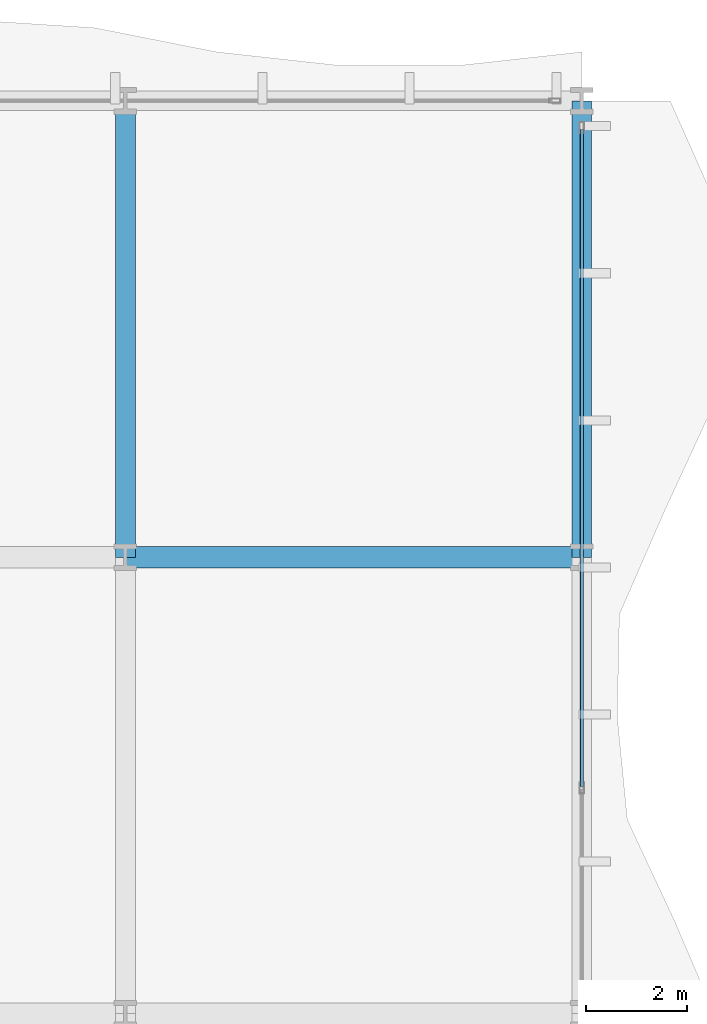
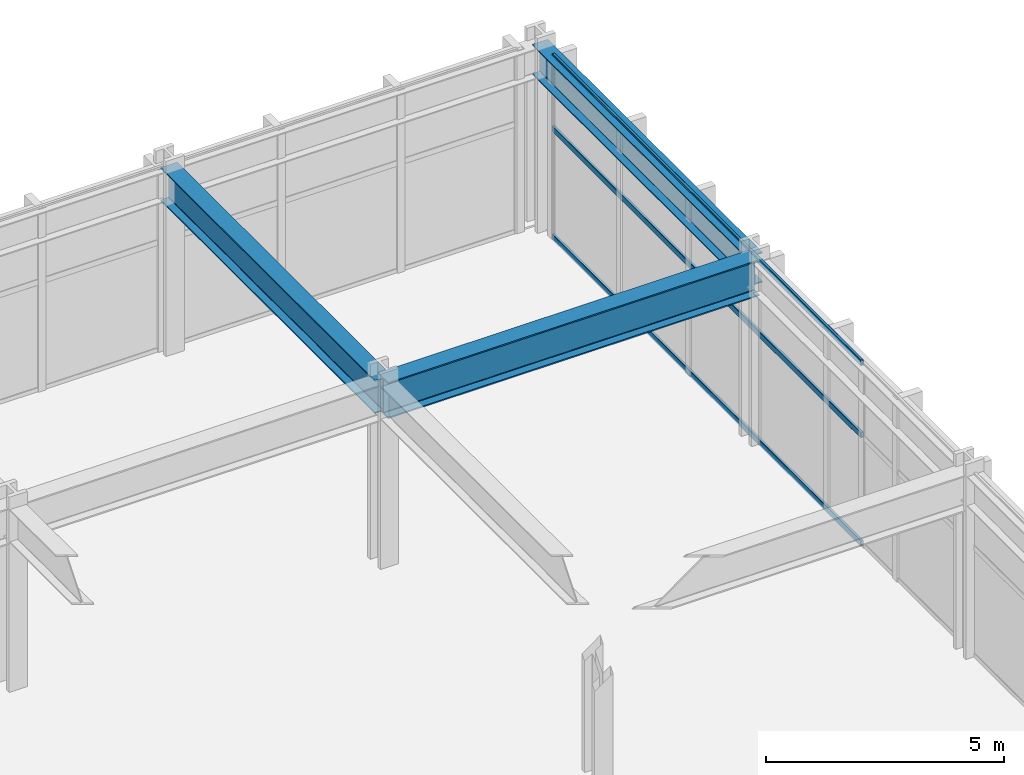
# One storey, part 16 of 28: 3 beams, 3 members, 1 element without a shape of its own.
"""IFC4 building model written with IfcOpenShell, lengths in metres."""

from ifc_helpers import new_model, si_unit, direction, frame, origin, origin_2d, place, context, subcontext, project, spatial, hollow_rectangle, i_section, extrude, material, layer, layer_set, material_profile, profile_set, type_object, element, aggregate, save


model = new_model("IFC4")

# Units and contexts
model_context = context("Model", 3, precision=1e-05, world=origin(), true_north=direction((0.0, 1.0)))
body_context = subcontext(model_context, "Body", "Model", "MODEL_VIEW")
ifc_project = project(units=[si_unit("LENGTHUNIT", "METRE"), si_unit("AREAUNIT", "SQUARE_METRE"), si_unit("VOLUMEUNIT", "CUBIC_METRE"), si_unit("PLANEANGLEUNIT", "RADIAN"), si_unit("MASSUNIT", "GRAM", prefix="KILO")], contexts=[model_context])

# Site, building, storey
site_placement = place(None, origin())
site = spatial("IfcSite", under=ifc_project, at=site_placement, CompositionType="ELEMENT")
building_placement = place(site_placement, origin())
building = spatial("IfcBuilding", under=site, at=building_placement, Name="Solvaryn Broadcast Tower", CompositionType="ELEMENT")
storey_placement = place(building_placement, frame((0.0, 0.0, 16.199951171875)))
storey = spatial("IfcBuildingStorey", under=building, at=storey_placement, Name="L03", CompositionType="ELEMENT", Elevation=16.199951171875)

# Beams
ifc_material_1 = material(Name="Steel ASTM A992 Grade 50", Category="steel")
ifc_material_profile_1 = material_profile(ifc_material_1, i_section(OverallWidth=0.41796875, OverallDepth=0.927001953125, WebThickness=0.019287109375, FlangeThickness=0.031982421875, FilletRadius=0.02392578125, at=origin_2d()))
ifc_profile_set_1 = profile_set([ifc_material_profile_1], Name="Steel ASTM A992 Grade 50")
beam_type_1 = type_object("IfcBeamType", Name="BM-G2-W36X231", PredefinedType="BEAM", material=ifc_profile_set_1)
beam_1_placement = place(storey_placement, frame((54.0, 45.0, 4.216552734375), z_axis=(1.0, 0.0, 0.0), x_axis=(0.0, 1.0, 0.0)))
element("IfcBeam", 1, at=beam_1_placement, inside=storey, type_object=beam_type_1, Name="L03 Primary Beam X (54-63 @ Y=45)", PredefinedType="BEAM", context=body_context, shape_type="SweptSolid", body=[
    extrude(i_section(OverallWidth=0.41796875, OverallDepth=0.927001953125, WebThickness=0.019287109375, FlangeThickness=0.031982421875, FilletRadius=0.02392578125, at=origin_2d()), origin(), (0.0, 0.0, 1.0), 9.0),
])
ifc_material_2 = material(Name="Steel ASTM A992 Grade 50", Category="steel")
ifc_material_profile_2 = material_profile(ifc_material_2, i_section(OverallWidth=0.39990234375, OverallDepth=0.85498046875, WebThickness=0.018310546875, FlangeThickness=0.029296875, FilletRadius=0.02001953125, at=origin_2d()))
ifc_profile_set_2 = profile_set([ifc_material_profile_2], Name="Steel ASTM A992 Grade 50")
beam_type_2 = type_object("IfcBeamType", Name="BM-G3-W33X201", PredefinedType="BEAM", material=ifc_profile_set_2)
beam_2_placement = place(storey_placement, frame((54.0, 45.0, 4.25244140625), z_axis=(0.0, 1.0, 0.0), x_axis=(-1.0, 0.0, 0.0)))
element("IfcBeam", 2, at=beam_2_placement, inside=storey, type_object=beam_type_2, Name="L03 Primary Beam Y (45-54 @ X=54)", PredefinedType="BEAM", context=body_context, shape_type="SweptSolid", body=[
    extrude(i_section(OverallWidth=0.39990234375, OverallDepth=0.85498046875, WebThickness=0.018310546875, FlangeThickness=0.029296875, FilletRadius=0.02001953125, at=origin_2d()), origin(), (0.0, 0.0, 1.0), 9.0),
])
ifc_material_3 = material(Name="Steel ASTM A992 Grade 50", Category="steel")
ifc_material_profile_3 = material_profile(ifc_material_3, i_section(OverallWidth=0.381103515625, OverallDepth=0.77294921875, WebThickness=0.0166015625, FlangeThickness=0.027099609375, FilletRadius=0.01806640625, at=origin_2d()))
ifc_profile_set_3 = profile_set([ifc_material_profile_3], Name="Steel ASTM A992 Grade 50")
beam_type_3 = type_object("IfcBeamType", Name="BM-SP1-W30X173", PredefinedType="USERDEFINED", material=ifc_profile_set_3)
beam_3_placement = place(storey_placement, frame((63.0, 45.0, 4.29345703125), z_axis=(0.0, 1.0, 0.0), x_axis=(-1.0, 0.0, 0.0)))
element("IfcBeam", 3, at=beam_3_placement, inside=storey, type_object=beam_type_3, Name="L03 Spandrel Beam Y (45-54 @ X=63)", ObjectType="SPANDREL", PredefinedType="USERDEFINED", context=body_context, shape_type="SweptSolid", body=[
    extrude(i_section(OverallWidth=0.381103515625, OverallDepth=0.77294921875, WebThickness=0.0166015625, FlangeThickness=0.027099609375, FilletRadius=0.01806640625, at=origin_2d()), origin(), (0.0, 0.0, 1.0), 9.0),
])

# Curtain wall, members
ifc_material_4 = material(Name="Aluminium and Terracotta Unitised Curtain Wall", Category="masonry")
ifc_layer = layer(ifc_material_4, 0.219970703125)
ifc_layer_set = layer_set([ifc_layer], Name="CW-SYS1-PODIUM")
curtain_wall_type = type_object("IfcCurtainWallType", Name="CW-SYS1-PODIUM", PredefinedType="NOTDEFINED", material=ifc_layer_set)
curtain_wall_placement = place(storey_placement, origin())
curtain_wall = element("IfcCurtainWall", 4, at=curtain_wall_placement, inside=storey, type_object=curtain_wall_type, Name="L03 Podium Curtain Wall E1", PredefinedType="NOTDEFINED")
ifc_material_5 = material(Name="Anodised Aluminium 6063-T6", Category="aluminium")
ifc_material_profile_4 = material_profile(ifc_material_5, hollow_rectangle(XDim=0.06494140625, YDim=0.14990234375, WallThickness=0.00390625, InnerFilletRadius=0.00390625, OuterFilletRadius=0.008056640625, at=origin_2d()))
ifc_profile_set_4 = profile_set([ifc_material_profile_4], Name="Anodised Aluminium 6063-T6")
member_type = type_object("IfcMemberType", Name="CW-TRN-150", PredefinedType="USERDEFINED", material=ifc_profile_set_4)
member_1_placement = place(storey_placement, frame((63.0, 53.43994140625, 0.030029296875), z_axis=(0.0, -1.0, 0.0), x_axis=(1.0, 0.0, 0.0)))
member_1 = element("IfcMember", 5, at=member_1_placement, type_object=member_type, Name="CWS1 transom 1.1", ObjectType="TRANSOM", PredefinedType="USERDEFINED", context=body_context, shape_type="SweptSolid", body=[
    extrude(hollow_rectangle(XDim=0.06494140625, YDim=0.14990234375, WallThickness=0.00390625, InnerFilletRadius=0.00390625, OuterFilletRadius=0.008056640625, at=origin_2d()), origin(), (0.0, 0.0, 1.0), 12.9599609375),
])
member_2_placement = place(storey_placement, frame((63.0, 53.43994140625, 2.800048828125), z_axis=(0.0, -1.0, 0.0), x_axis=(1.0, 0.0, 0.0)))
member_2 = element("IfcMember", 6, at=member_2_placement, type_object=member_type, Name="CWS1 transom 1.2", ObjectType="TRANSOM", PredefinedType="USERDEFINED", context=body_context, shape_type="SweptSolid", body=[
    extrude(hollow_rectangle(XDim=0.06494140625, YDim=0.14990234375, WallThickness=0.00390625, InnerFilletRadius=0.00390625, OuterFilletRadius=0.008056640625, at=origin_2d()), origin(), (0.0, 0.0, 1.0), 12.9599609375),
])
member_3_placement = place(storey_placement, frame((63.0, 53.43994140625, 4.650146484375), z_axis=(0.0, -1.0, 0.0), x_axis=(1.0, 0.0, 0.0)))
member_3 = element("IfcMember", 7, at=member_3_placement, type_object=member_type, Name="CWS1 transom 1.3", ObjectType="TRANSOM", PredefinedType="USERDEFINED", context=body_context, shape_type="SweptSolid", body=[
    extrude(hollow_rectangle(XDim=0.06494140625, YDim=0.14990234375, WallThickness=0.00390625, InnerFilletRadius=0.00390625, OuterFilletRadius=0.008056640625, at=origin_2d()), origin(), (0.0, 0.0, 1.0), 12.9599609375),
])
aggregate(curtain_wall, [member_1, member_2, member_3])

save(model, "model.ifc")
